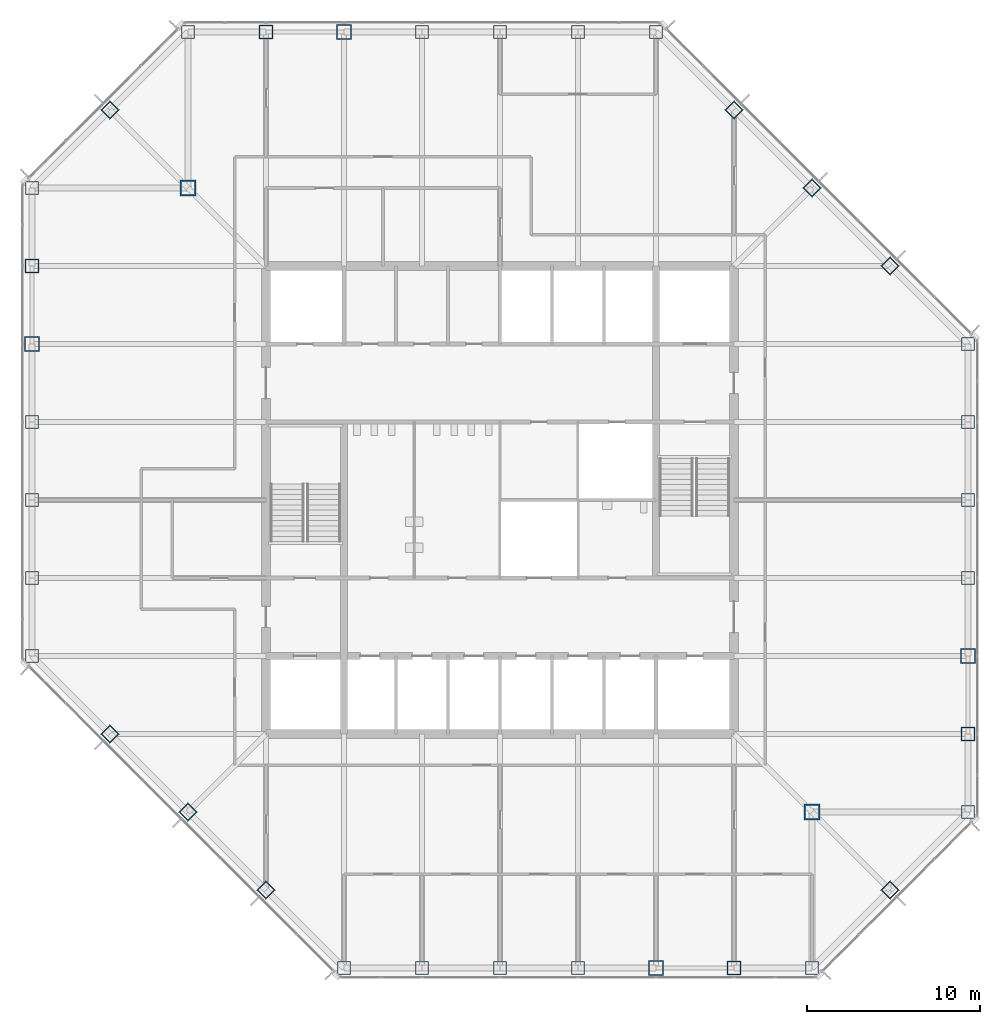
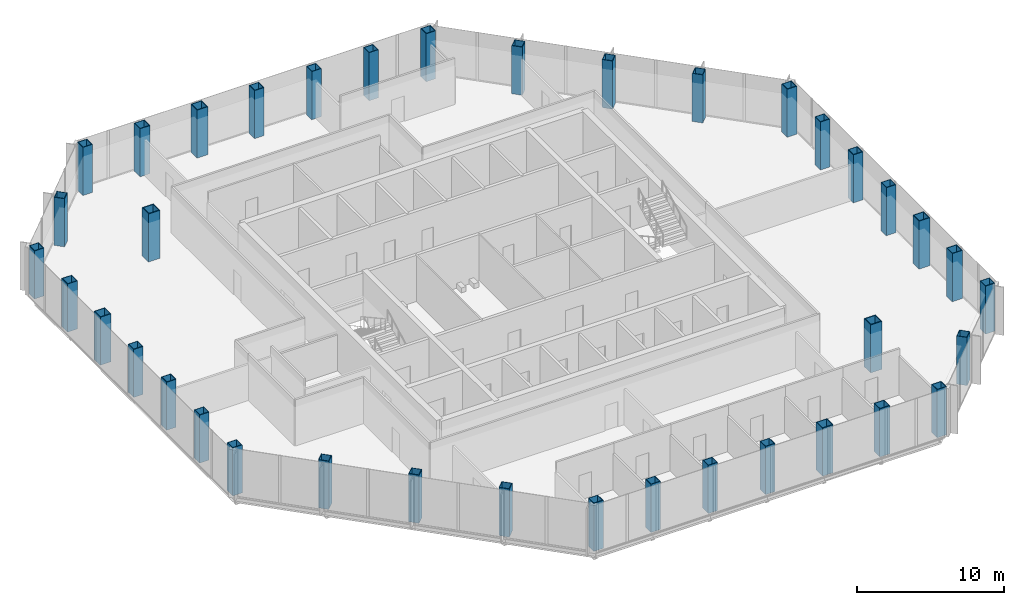
# One storey, part 1 of 12: 38 columns.
"""IFC4 building model written with IfcOpenShell, lengths in metres."""

from ifc_helpers import new_model, si_unit, direction, frame, origin, origin_2d, place, context, subcontext, project, spatial, hollow_rectangle, extrude, material, material_profile, profile_set, type_object, element, save


model = new_model("IFC4")

# Units and contexts
model_context = context("Model", 3, precision=1e-05, world=origin(), true_north=direction((0.0, 1.0)))
body_context = subcontext(model_context, "Body", "Model", "MODEL_VIEW")
ifc_project = project(units=[si_unit("LENGTHUNIT", "METRE"), si_unit("AREAUNIT", "SQUARE_METRE"), si_unit("VOLUMEUNIT", "CUBIC_METRE"), si_unit("PLANEANGLEUNIT", "RADIAN"), si_unit("MASSUNIT", "GRAM", prefix="KILO")], contexts=[model_context])

# Site, building, storey
site_placement = place(None, origin())
site = spatial("IfcSite", under=ifc_project, at=site_placement, CompositionType="ELEMENT")
building_placement = place(site_placement, origin())
building = spatial("IfcBuilding", under=site, at=building_placement, Name="Corais Broadcast Tower", CompositionType="ELEMENT")
storey_placement = place(building_placement, frame((0.0, 0.0, 143.60009765625)))
storey = spatial("IfcBuildingStorey", under=building, at=storey_placement, Name="L32", CompositionType="ELEMENT", Elevation=143.60009765625)

# Columns
ifc_material_1 = material(Name="Steel ASTM A572 Grade 50", Category="steel")
ifc_material_profile_1 = material_profile(ifc_material_1, hollow_rectangle(XDim=0.75, YDim=0.75, WallThickness=0.0400390625, at=origin_2d()), Name="BOX 750x750x40")
ifc_profile_set_1 = profile_set([ifc_material_profile_1], Name="Steel ASTM A572 Grade 50")
column_type_1 = type_object("IfcColumnType", Name="Column BOX 750x750x40", PredefinedType="COLUMN", material=ifc_profile_set_1)
for number, where, z_axis, x_axis, name in (
    (1, (18.0, 0.0, 0.0), (0.0, 0.0, 1.0), (1.0, 0.0, 0.0), "C4 A/7"),
    (2, (22.5, 0.0, 0.0), (0.0, 0.0, 1.0), (1.0, 0.0, 0.0), "C4 A/8"),
    (3, (27.0, 0.0, 0.0), (0.0, 0.0, 1.0), (1.0, 0.0, 0.0), "C4 A/9"),
    (4, (31.5, 0.0, 0.0), (0.0, 0.0, 1.0), (1.0, 0.0, 0.0), "C4 A/10"),
    (5, (45.0, 0.0, 0.0), (0.0, 0.0, 1.0), (1.0, 0.0, 0.0), "C4 A/13"),
    (6, (54.0, 9.0, 0.0), (0.0, 0.0, 1.0), (1.0, 0.0, 0.0), "C4 C/15"),
    (7, (54.0, 22.5, 0.0), (0.0, 0.0, 1.0), (1.0, 0.0, 0.0), "C4 F/15"),
    (8, (54.0, 27.0, 0.0), (0.0, 0.0, 1.0), (1.0, 0.0, 0.0), "C4 G/15"),
    (9, (54.0, 31.5, 0.0), (0.0, 0.0, 1.0), (1.0, 0.0, 0.0), "C4 H/15"),
    (10, (54.0, 36.0, 0.0), (0.0, 0.0, 1.0), (1.0, 0.0, 0.0), "C4 J/15"),
    (11, (36.0, 54.0, 0.0), (0.0, 0.0, 1.0), (1.0, 0.0, 0.0), "C4 N/11"),
    (12, (31.5, 54.0, 0.0), (0.0, 0.0, 1.0), (1.0, 0.0, 0.0), "C4 N/10"),
    (13, (27.0, 54.0, 0.0), (0.0, 0.0, 1.0), (1.0, 0.0, 0.0), "C4 N/9"),
    (14, (22.5, 54.0, 0.0), (0.0, 0.0, 1.0), (1.0, 0.0, 0.0), "C4 N/8"),
    (15, (9.0, 54.0, 0.0), (0.0, 0.0, 1.0), (1.0, 0.0, 0.0), "C4 N/5"),
    (16, (0.0, 45.0, 0.0), (0.0, 0.0, 1.0), (1.0, 0.0, 0.0), "C4 L/3"),
    (17, (0.0, 31.5, 0.0), (0.0, 0.0, 1.0), (1.0, 0.0, 0.0), "C4 H/3"),
    (18, (0.0, 27.0, 0.0), (0.0, 0.0, 1.0), (1.0, 0.0, 0.0), "C4 G/3"),
    (19, (0.0, 22.5, 0.0), (0.0, 0.0, 1.0), (1.0, 0.0, 0.0), "C4 F/3"),
    (20, (0.0, 18.0, 0.0), (0.0, 0.0, 1.0), (1.0, 0.0, 0.0), "C4 E/3"),
    (21, (13.5, 4.5, 0.0), (0.0, 0.0, 1.0), (0.707106781187, 0.707106781187, 0.0), "C4 B/6"),
    (22, (9.0, 9.0, 0.0), (0.0, 0.0, 1.0), (0.707106781187, 0.707106781187, 0.0), "C4 C/5"),
    (23, (4.5, 13.5, 0.0), (0.0, 0.0, 1.0), (0.707106781187, 0.707106781187, 0.0), "C4 D/4"),
    (24, (49.5, 4.5, 0.0), (0.0, 0.0, 1.0), (0.707106781187, 0.707106781187, 0.0), "C4 B/14"),
    (25, (49.5, 40.5, 0.0), (0.0, 0.0, 1.0), (0.707106781187, 0.707106781187, 0.0), "C4 K/14"),
    (26, (45.0, 45.0, 0.0), (0.0, 0.0, 1.0), (0.707106781187, 0.707106781187, 0.0), "C4 L/13"),
    (27, (40.5, 49.5, 0.0), (0.0, 0.0, 1.0), (0.707106781187, 0.707106781187, 0.0), "C4 M/12"),
    (28, (4.5, 49.5, 0.0), (0.0, 0.0, 1.0), (0.707106781187, 0.707106781187, 0.0), "C4 M/4"),
):
    element("IfcColumn", number, at=place(storey_placement, frame(where, z_axis=z_axis, x_axis=x_axis)), inside=storey, type_object=column_type_1, Name=name, PredefinedType="COLUMN", context=body_context, shape_type="SweptSolid", body=[
        extrude(hollow_rectangle(XDim=0.75, YDim=0.75, WallThickness=0.0400390625, at=origin_2d()), origin(), (0.0, 0.0, 1.0), 4.0),
    ])
ifc_material_2 = material(Name="Steel ASTM A572 Grade 50", Category="steel")
ifc_material_profile_2 = material_profile(ifc_material_2, hollow_rectangle(XDim=0.800048828125, YDim=0.800048828125, WallThickness=0.044921875, at=origin_2d()), Name="BOX 800x800x45")
ifc_profile_set_2 = profile_set([ifc_material_profile_2], Name="Steel ASTM A572 Grade 50")
column_type_2 = type_object("IfcColumnType", Name="Column BOX 800x800x45", PredefinedType="COLUMN", material=ifc_profile_set_2)
for number, where, z_axis, x_axis, name in (
    (29, (40.5, 0.0, 0.0), (0.0, 0.0, 1.0), (1.0, 0.0, 0.0), "C3 A/12"),
    (30, (54.0, 13.5, 0.0), (0.0, 0.0, 1.0), (1.0, 0.0, 0.0), "C3 D/15"),
    (31, (13.5, 54.0, 0.0), (0.0, 0.0, 1.0), (1.0, 0.0, 0.0), "C3 N/6"),
    (32, (0.0, 40.5, 0.0), (0.0, 0.0, 1.0), (1.0, 0.0, 0.0), "C3 K/3"),
):
    element("IfcColumn", number, at=place(storey_placement, frame(where, z_axis=z_axis, x_axis=x_axis)), inside=storey, type_object=column_type_2, Name=name, PredefinedType="COLUMN", context=body_context, shape_type="SweptSolid", body=[
        extrude(hollow_rectangle(XDim=0.800048828125, YDim=0.800048828125, WallThickness=0.044921875, at=origin_2d()), origin(), (0.0, 0.0, 1.0), 4.0),
    ])
ifc_material_3 = material(Name="Steel ASTM A572 Grade 50", Category="steel")
ifc_material_profile_3 = material_profile(ifc_material_3, hollow_rectangle(XDim=0.85009765625, YDim=0.85009765625, WallThickness=0.050048828125, at=origin_2d()), Name="BOX 850x850x50")
ifc_profile_set_3 = profile_set([ifc_material_profile_3], Name="Steel ASTM A572 Grade 50")
column_type_3 = type_object("IfcColumnType", Name="Column BOX 850x850x50", PredefinedType="COLUMN", material=ifc_profile_set_3)
for number, where, z_axis, x_axis, name in (
    (33, (36.0, 0.0, 0.0), (0.0, 0.0, 1.0), (1.0, 0.0, 0.0), "C1 A/11"),
    (34, (54.0, 18.0, 0.0), (0.0, 0.0, 1.0), (1.0, 0.0, 0.0), "C1 E/15"),
    (35, (18.0, 54.0, 0.0), (0.0, 0.0, 1.0), (1.0, 0.0, 0.0), "C1 N/7"),
    (36, (0.0, 36.0, 0.0), (0.0, 0.0, 1.0), (1.0, 0.0, 0.0), "C1 J/3"),
):
    element("IfcColumn", number, at=place(storey_placement, frame(where, z_axis=z_axis, x_axis=x_axis)), inside=storey, type_object=column_type_3, Name=name, PredefinedType="COLUMN", context=body_context, shape_type="SweptSolid", body=[
        extrude(hollow_rectangle(XDim=0.85009765625, YDim=0.85009765625, WallThickness=0.050048828125, at=origin_2d()), origin(), (0.0, 0.0, 1.0), 4.0),
    ])
ifc_material_4 = material(Name="Steel ASTM A572 Grade 50", Category="steel")
ifc_material_profile_4 = material_profile(ifc_material_4, hollow_rectangle(XDim=0.89990234375, YDim=0.89990234375, WallThickness=0.06298828125, at=origin_2d()), Name="BOX 900x900x63")
ifc_profile_set_4 = profile_set([ifc_material_profile_4], Name="Steel ASTM A572 Grade 50")
column_type_4 = type_object("IfcColumnType", Name="Column BOX 900x900x63", PredefinedType="COLUMN", material=ifc_profile_set_4)
for number, where, z_axis, x_axis, name in (
    (37, (45.0, 9.0, 0.0), (0.0, 0.0, 1.0), (1.0, 0.0, 0.0), "C2 C/13"),
    (38, (9.0, 45.0, 0.0), (0.0, 0.0, 1.0), (1.0, 0.0, 0.0), "C2 L/5"),
):
    element("IfcColumn", number, at=place(storey_placement, frame(where, z_axis=z_axis, x_axis=x_axis)), inside=storey, type_object=column_type_4, Name=name, PredefinedType="COLUMN", context=body_context, shape_type="SweptSolid", body=[
        extrude(hollow_rectangle(XDim=0.89990234375, YDim=0.89990234375, WallThickness=0.06298828125, at=origin_2d()), origin(), (0.0, 0.0, 1.0), 4.0),
    ])

save(model, "model.ifc")
